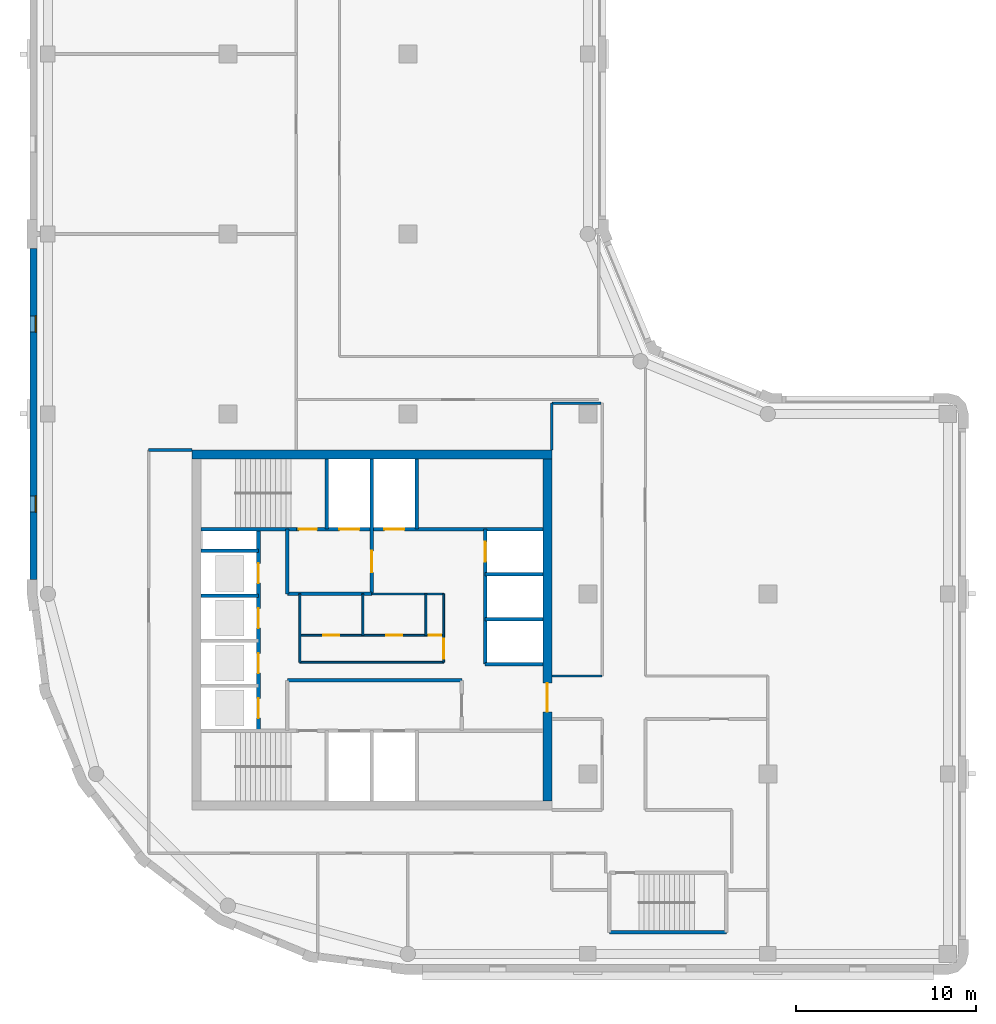
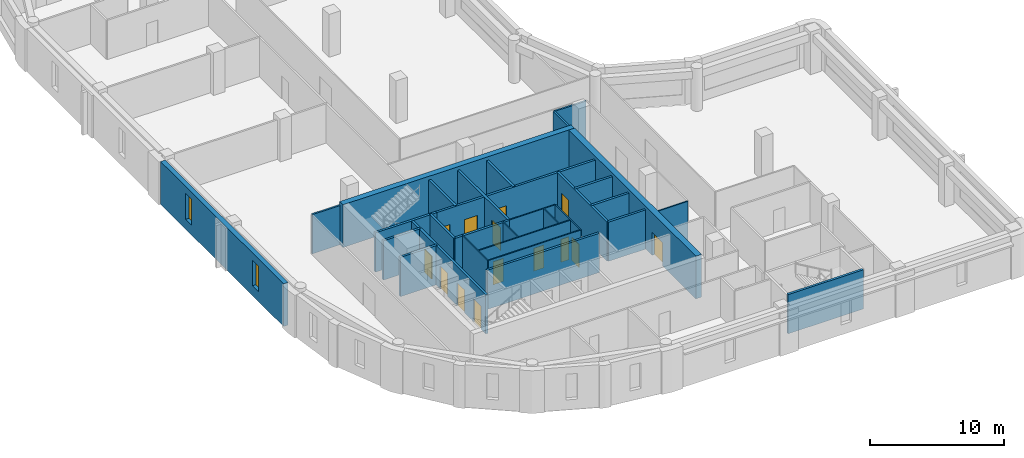
# One storey, part 3 of 9: 30 walls, 14 doors, 2 windows, 16 openings.
"""IFC4 building model written with IfcOpenShell, lengths in metres."""

from ifc_helpers import new_model, si_unit, direction, frame, frame_2d, origin, place, context, subcontext, project, spatial, rectangle, extrude, material, layer, layer_set, type_object, element, fill, save


model = new_model("IFC4")

# Units and contexts
model_context = context("Model", 3, precision=1e-05, world=origin(), true_north=direction((0.0, 1.0)))
body_context = subcontext(model_context, "Body", "Model", "MODEL_VIEW")
ifc_project = project(units=[si_unit("LENGTHUNIT", "METRE"), si_unit("AREAUNIT", "SQUARE_METRE"), si_unit("VOLUMEUNIT", "CUBIC_METRE"), si_unit("PLANEANGLEUNIT", "RADIAN"), si_unit("MASSUNIT", "GRAM", prefix="KILO")], contexts=[model_context])

# Site, building, storey
site_placement = place(None, origin())
site = spatial("IfcSite", under=ifc_project, at=site_placement, CompositionType="ELEMENT")
building_placement = place(site_placement, origin())
building = spatial("IfcBuilding", under=site, at=building_placement, Name="Qaws Garden Tower", CompositionType="ELEMENT")
storey_placement = place(building_placement, frame((0.0, 0.0, 255.300048828125)))
storey = spatial("IfcBuildingStorey", under=building, at=storey_placement, Name="L61", CompositionType="ELEMENT", Elevation=255.300048828125)

# Wall, openings, windows
ifc_material_1 = material(Name="Clay facing brick masonry", Category="masonry")
ifc_layer_1 = layer(ifc_material_1, 0.39990234375)
ifc_layer_set_1 = layer_set([ifc_layer_1], Name="Clay facing brick masonry")
wall_type_1 = type_object("IfcWallType", Name="Brick infill wall 400", PredefinedType="SOLIDWALL", material=ifc_layer_set_1)
wall_1_placement = place(storey_placement, frame((-0.800048828125, 39.199951171875, 0.0), z_axis=(0.0, 0.0, 1.0), x_axis=(0.0, -1.0, 0.0)))
wall_1 = element("IfcWall", 1, at=wall_1_placement, inside=storey, type_object=wall_type_1, Name="E-L61-infill-21", PredefinedType="SOLIDWALL", context=body_context, shape_type="SweptSolid", body=[
    extrude(rectangle(XDim=18.39990234375, YDim=0.39990234375, at=frame_2d((9.199951171875, 0.0))), origin(), (0.0, 0.0, 1.0), 3.89990234375),
])
opening_1_placement = place(wall_1_placement, frame((3.75, 0.0, 0.89990234375)))
opening_1 = element("IfcOpeningElement", 2, at=opening_1_placement, cuts=wall_1, Name="Opening W09", PredefinedType="OPENING", context=body_context, shape_type="SweptSolid", body=[
    extrude(rectangle(XDim=0.89990234375, YDim=2.35009765625, at=frame_2d((0.449951171875, 1.175048828125))), frame((0.0, 0.2099609375, 0.0), z_axis=(0.0, -1.0, 0.0), x_axis=(1.0, 0.0, 0.0)), (0.0, 0.0, 1.0), 0.419921875),
])
opening_2_placement = place(wall_1_placement, frame((13.75, 0.0, 0.89990234375)))
opening_2 = element("IfcOpeningElement", 3, at=opening_2_placement, cuts=wall_1, Name="Opening W09", PredefinedType="OPENING", context=body_context, shape_type="SweptSolid", body=[
    extrude(rectangle(XDim=0.89990234375, YDim=2.35009765625, at=frame_2d((0.449951171875, 1.175048828125))), frame((0.0, 0.2099609375, 0.0), z_axis=(0.0, -1.0, 0.0), x_axis=(1.0, 0.0, 0.0)), (0.0, 0.0, 1.0), 0.419921875),
])
ifc_material_2 = material(Name="Aluminium framed window, clear glazing", Category="aluminium")
window_type = type_object("IfcWindowType", Name="Slit window 900 x 2350", PartitioningType="SINGLE_PANEL", PredefinedType="WINDOW", material=ifc_material_2)
window_1_placement = place(opening_1_placement, origin())
window_1 = element("IfcWindow", 4, at=window_1_placement, inside=storey, type_object=window_type, Name="E-L61-window-21-0", OverallHeight=2.35009765625, OverallWidth=0.89990234375, PartitioningType="SINGLE_PANEL", PredefinedType="WINDOW", context=body_context, shape_type="SweptSolid", body=[
    extrude(rectangle(XDim=0.89990234375, YDim=2.35009765625, at=frame_2d((0.449951171875, 1.175048828125))), frame((0.0, 0.159912109375, 0.0), z_axis=(0.0, -1.0, 0.0), x_axis=(1.0, 0.0, 0.0)), (0.0, 0.0, 1.0), 0.06005859375),
])
fill(opening_1, window_1)
window_2_placement = place(opening_2_placement, origin())
window_2 = element("IfcWindow", 5, at=window_2_placement, inside=storey, type_object=window_type, Name="E-L61-window-22-0", OverallHeight=2.35009765625, OverallWidth=0.89990234375, PartitioningType="SINGLE_PANEL", PredefinedType="WINDOW", context=body_context, shape_type="SweptSolid", body=[
    extrude(rectangle(XDim=0.89990234375, YDim=2.35009765625, at=frame_2d((0.449951171875, 1.175048828125))), frame((0.0, 0.159912109375, 0.0), z_axis=(0.0, -1.0, 0.0), x_axis=(1.0, 0.0, 0.0)), (0.0, 0.0, 1.0), 0.06005859375),
])
fill(opening_2, window_2)

# Wall
ifc_material_3 = material(Name="Plasterboard")
ifc_layer_2 = layer(ifc_material_3, 0.10009765625)
ifc_layer_set_2 = layer_set([ifc_layer_2], Name="Plasterboard")
wall_type_2 = type_object("IfcWallType", Name="Core partition 100", PredefinedType="PARTITIONING", material=ifc_layer_set_2)
wall_2_placement = place(storey_placement, frame((14.0, 16.199951171875, 0.0), z_axis=(0.0, 0.0, 1.0), x_axis=(1.0, 0.0, 0.0)))
element("IfcWall", 6, at=wall_2_placement, inside=storey, type_object=wall_type_2, Name="Core partition", PredefinedType="PARTITIONING", context=body_context, shape_type="SweptSolid", body=[
    extrude(rectangle(XDim=8.0, YDim=0.10009765625, at=frame_2d((4.0, 0.0))), origin(), (0.0, 0.0, 1.0), 3.579833984375),
])

# Wall, openings, doors
wall_3_placement = place(storey_placement, frame((14.0, 17.699951171875, 0.0), z_axis=(0.0, 0.0, 1.0), x_axis=(1.0, 0.0, 0.0)))
wall_3 = element("IfcWall", 7, at=wall_3_placement, inside=storey, type_object=wall_type_2, Name="Core partition", PredefinedType="PARTITIONING", context=body_context, shape_type="SweptSolid", body=[
    extrude(rectangle(XDim=8.0, YDim=0.10009765625, at=frame_2d((4.0, 0.0))), origin(), (0.0, 0.0, 1.0), 3.579833984375),
])
opening_3_placement = place(wall_3_placement, frame((1.300048828125, 0.0, 0.0)))
opening_3 = element("IfcOpeningElement", 8, at=opening_3_placement, cuts=wall_3, Name="Opening WD18", PredefinedType="OPENING", context=body_context, shape_type="SweptSolid", body=[
    extrude(rectangle(XDim=0.89990234375, YDim=2.10009765625, at=frame_2d((0.449951171875, 1.050048828125))), frame((0.0, 0.06005859375, 0.0), z_axis=(0.0, -1.0, 0.0), x_axis=(1.0, 0.0, 0.0)), (0.0, 0.0, 1.0), 0.1201171875),
])
opening_4_placement = place(wall_3_placement, frame((4.800048828125, 0.0, 0.0)))
opening_4 = element("IfcOpeningElement", 9, at=opening_4_placement, cuts=wall_3, Name="Opening WD19", PredefinedType="OPENING", context=body_context, shape_type="SweptSolid", body=[
    extrude(rectangle(XDim=0.89990234375, YDim=2.10009765625, at=frame_2d((0.449951171875, 1.050048828125))), frame((0.0, 0.06005859375, 0.0), z_axis=(0.0, -1.0, 0.0), x_axis=(1.0, 0.0, 0.0)), (0.0, 0.0, 1.0), 0.1201171875),
])
opening_5_placement = place(wall_3_placement, frame((7.14990234375, 0.0, 0.0)))
opening_5 = element("IfcOpeningElement", 10, at=opening_5_placement, cuts=wall_3, Name="Opening XD20", PredefinedType="OPENING", context=body_context, shape_type="SweptSolid", body=[
    extrude(rectangle(XDim=0.699951171875, YDim=2.10009765625, at=frame_2d((0.35009765625, 1.050048828125))), frame((0.0, 0.06005859375, 0.0), z_axis=(0.0, -1.0, 0.0), x_axis=(1.0, 0.0, 0.0)), (0.0, 0.0, 1.0), 0.1201171875),
])
ifc_material_4 = material(Name="Timber", Category="wood")
door_type_1 = type_object("IfcDoorType", Name="Store door 700x2100", OperationType="SINGLE_SWING_LEFT", PredefinedType="DOOR", material=ifc_material_4)
door_1_placement = place(opening_5_placement, origin())
door_1 = element("IfcDoor", 11, at=door_1_placement, inside=storey, type_object=door_type_1, Name="Cleaner's store door", OperationType="SINGLE_SWING_RIGHT", OverallHeight=2.10009765625, OverallWidth=0.699951171875, PredefinedType="DOOR", context=body_context, shape_type="SweptSolid", body=[
    extrude(rectangle(XDim=0.699951171875, YDim=2.10009765625, at=frame_2d((0.35009765625, 1.050048828125))), frame((0.0, 0.02490234375, 0.0), z_axis=(0.0, -1.0, 0.0), x_axis=(1.0, 0.0, 0.0)), (0.0, 0.0, 1.0), 0.050048828125),
])
fill(opening_5, door_1)
ifc_material_5 = material(Name="Timber", Category="wood")
door_type_2 = type_object("IfcDoorType", Name="WC door 900x2100", OperationType="SINGLE_SWING_LEFT", PredefinedType="DOOR", material=ifc_material_5)
door_2_placement = place(opening_3_placement, origin())
door_2 = element("IfcDoor", 12, at=door_2_placement, inside=storey, type_object=door_type_2, Name="Men's WC door", OperationType="SINGLE_SWING_RIGHT", OverallHeight=2.10009765625, OverallWidth=0.89990234375, PredefinedType="DOOR", context=body_context, shape_type="SweptSolid", body=[
    extrude(rectangle(XDim=0.89990234375, YDim=2.10009765625, at=frame_2d((0.449951171875, 1.050048828125))), frame((0.0, 0.02490234375, 0.0), z_axis=(0.0, -1.0, 0.0), x_axis=(1.0, 0.0, 0.0)), (0.0, 0.0, 1.0), 0.050048828125),
])
fill(opening_3, door_2)
door_3_placement = place(opening_4_placement, origin())
door_3 = element("IfcDoor", 13, at=door_3_placement, inside=storey, type_object=door_type_2, Name="Women's WC door", OperationType="SINGLE_SWING_RIGHT", OverallHeight=2.10009765625, OverallWidth=0.89990234375, PredefinedType="DOOR", context=body_context, shape_type="SweptSolid", body=[
    extrude(rectangle(XDim=0.89990234375, YDim=2.10009765625, at=frame_2d((0.449951171875, 1.050048828125))), frame((0.0, 0.02490234375, 0.0), z_axis=(0.0, -1.0, 0.0), x_axis=(1.0, 0.0, 0.0)), (0.0, 0.0, 1.0), 0.050048828125),
])
fill(opening_4, door_3)

# Walls
wall_4_placement = place(storey_placement, frame((18.0, 20.0, 0.0), z_axis=(0.0, 0.0, 1.0), x_axis=(1.0, 0.0, 0.0)))
element("IfcWall", 14, at=wall_4_placement, inside=storey, type_object=wall_type_2, Name="Core partition", PredefinedType="PARTITIONING", context=body_context, shape_type="SweptSolid", body=[
    extrude(rectangle(XDim=4.0, YDim=0.10009765625, at=frame_2d((2.0, 0.0))), origin(), (0.0, 0.0, 1.0), 3.579833984375),
])
wall_5_placement = place(storey_placement, frame((14.0, 16.199951171875, 0.0), z_axis=(0.0, 0.0, 1.0), x_axis=(0.0, 1.0, 0.0)))
element("IfcWall", 15, at=wall_5_placement, inside=storey, type_object=wall_type_2, Name="Core partition", PredefinedType="PARTITIONING", context=body_context, shape_type="SweptSolid", body=[
    extrude(rectangle(XDim=3.800048828125, YDim=0.10009765625, at=frame_2d((1.89990234375, 0.0))), origin(), (0.0, 0.0, 1.0), 3.579833984375),
])
for number, where, z_axis, x_axis, name in (
    (16, (17.5, 17.699951171875, 0.0), (0.0, 0.0, 1.0), (0.0, 1.0, 0.0), "Core partition"),
    (17, (21.0, 17.699951171875, 0.0), (0.0, 0.0, 1.0), (0.0, 1.0, 0.0), "Core partition"),
):
    element("IfcWall", number, at=place(storey_placement, frame(where, z_axis=z_axis, x_axis=x_axis)), inside=storey, type_object=wall_type_2, Name=name, PredefinedType="PARTITIONING", context=body_context, shape_type="SweptSolid", body=[
        extrude(rectangle(XDim=2.300048828125, YDim=0.10009765625, at=frame_2d((1.14990234375, 0.0))), origin(), (0.0, 0.0, 1.0), 3.579833984375),
    ])

# Wall, opening, door
wall_6_placement = place(storey_placement, frame((22.0, 16.199951171875, 0.0), z_axis=(0.0, 0.0, 1.0), x_axis=(0.0, 1.0, 0.0)))
wall_6 = element("IfcWall", 18, at=wall_6_placement, inside=storey, type_object=wall_type_2, Name="Core partition", PredefinedType="PARTITIONING", context=body_context, shape_type="SweptSolid", body=[
    extrude(rectangle(XDim=3.800048828125, YDim=0.10009765625, at=frame_2d((1.89990234375, 0.0))), origin(), (0.0, 0.0, 1.0), 3.579833984375),
])
opening_6_placement = place(wall_6_placement, frame((0.199951171875, 0.0, 0.0)))
opening_6 = element("IfcOpeningElement", 19, at=opening_6_placement, cuts=wall_6, Name="Opening WL17", PredefinedType="OPENING", context=body_context, shape_type="SweptSolid", body=[
    extrude(rectangle(XDim=1.10009765625, YDim=2.10009765625, at=frame_2d((0.550048828125, 1.050048828125))), frame((0.0, 0.06005859375, 0.0), z_axis=(0.0, -1.0, 0.0), x_axis=(1.0, 0.0, 0.0)), (0.0, 0.0, 1.0), 0.1201171875),
])
ifc_material_6 = material(Name="Timber", Category="wood")
door_type_3 = type_object("IfcDoorType", Name="WC lobby door 1100x2100", OperationType="SINGLE_SWING_LEFT", PredefinedType="DOOR", material=ifc_material_6)
door_4_placement = place(opening_6_placement, origin())
door_4 = element("IfcDoor", 20, at=door_4_placement, inside=storey, type_object=door_type_3, Name="WC lobby door", OperationType="SINGLE_SWING_RIGHT", OverallHeight=2.10009765625, OverallWidth=1.10009765625, PredefinedType="DOOR", context=body_context, shape_type="SweptSolid", body=[
    extrude(rectangle(XDim=1.10009765625, YDim=2.10009765625, at=frame_2d((0.550048828125, 1.050048828125))), frame((0.0, 0.02490234375, 0.0), z_axis=(0.0, -1.0, 0.0), x_axis=(1.0, 0.0, 0.0)), (0.0, 0.0, 1.0), 0.050048828125),
])
fill(opening_6, door_4)

# Walls
ifc_material_7 = material(Name="Concrete C60", Category="concrete")
ifc_layer_3 = layer(ifc_material_7, 0.199951171875)
ifc_layer_set_3 = layer_set([ifc_layer_3], Name="Concrete C60")
wall_type_3 = type_object("IfcWallType", Name="Core shaft wall 200 C60", PredefinedType="SHEAR", material=ifc_layer_set_3)
wall_7_placement = place(storey_placement, frame((31.199951171875, 1.199951171875, 0.0), z_axis=(0.0, 0.0, 1.0), x_axis=(1.0, 0.0, 0.0)))
element("IfcWall", 21, at=wall_7_placement, inside=storey, type_object=wall_type_3, Name="Shaft wall", PredefinedType="SHEAR", context=body_context, shape_type="SweptSolid", body=[
    extrude(rectangle(XDim=6.5, YDim=0.199951171875, at=frame_2d((3.25, 0.0))), origin(), (0.0, 0.0, 1.0), 3.579833984375),
])
wall_8_placement = place(storey_placement, frame((13.300048828125, 15.199951171875, 0.0), z_axis=(0.0, 0.0, 1.0), x_axis=(1.0, 0.0, 0.0)))
element("IfcWall", 22, at=wall_8_placement, inside=storey, type_object=wall_type_3, Name="Shaft wall", PredefinedType="SHEAR", context=body_context, shape_type="SweptSolid", body=[
    extrude(rectangle(XDim=9.699951171875, YDim=0.199951171875, at=frame_2d((4.85009765625, 0.0))), origin(), (0.0, 0.0, 1.0), 3.579833984375),
])
for number, where, z_axis, x_axis, name in (
    (23, (24.300048828125, 16.10009765625, 0.0), (0.0, 0.0, 1.0), (1.0, 0.0, 0.0), "Shaft wall"),
    (24, (24.300048828125, 18.60009765625, 0.0), (0.0, 0.0, 1.0), (1.0, 0.0, 0.0), "Shaft wall"),
    (25, (8.5, 19.89990234375, 0.0), (0.0, 0.0, 1.0), (1.0, 0.0, 0.0), "Shaft wall"),
):
    element("IfcWall", number, at=place(storey_placement, frame(where, z_axis=z_axis, x_axis=x_axis)), inside=storey, type_object=wall_type_3, Name=name, PredefinedType="SHEAR", context=body_context, shape_type="SweptSolid", body=[
        extrude(rectangle(XDim=3.199951171875, YDim=0.199951171875, at=frame_2d((1.60009765625, 0.0))), origin(), (0.0, 0.0, 1.0), 3.579833984375),
    ])
wall_9_placement = place(storey_placement, frame((13.300048828125, 20.0, 0.0), z_axis=(0.0, 0.0, 1.0), x_axis=(1.0, 0.0, 0.0)))
element("IfcWall", 26, at=wall_9_placement, inside=storey, type_object=wall_type_3, Name="Shaft wall", PredefinedType="SHEAR", context=body_context, shape_type="SweptSolid", body=[
    extrude(rectangle(XDim=4.699951171875, YDim=0.199951171875, at=frame_2d((2.35009765625, 0.0))), origin(), (0.0, 0.0, 1.0), 3.579833984375),
])
for number, where, z_axis, x_axis, name in (
    (27, (24.300048828125, 21.10009765625, 0.0), (0.0, 0.0, 1.0), (1.0, 0.0, 0.0), "Shaft wall"),
    (28, (8.5, 22.39990234375, 0.0), (0.0, 0.0, 1.0), (1.0, 0.0, 0.0), "Shaft wall"),
):
    element("IfcWall", number, at=place(storey_placement, frame(where, z_axis=z_axis, x_axis=x_axis)), inside=storey, type_object=wall_type_3, Name=name, PredefinedType="SHEAR", context=body_context, shape_type="SweptSolid", body=[
        extrude(rectangle(XDim=3.199951171875, YDim=0.199951171875, at=frame_2d((1.60009765625, 0.0))), origin(), (0.0, 0.0, 1.0), 3.579833984375),
    ])
wall_10_placement = place(storey_placement, frame((8.5, 23.60009765625, 0.0), z_axis=(0.0, 0.0, 1.0), x_axis=(1.0, 0.0, 0.0)))
element("IfcWall", 29, at=wall_10_placement, inside=storey, type_object=wall_type_3, Name="Shaft wall", PredefinedType="SHEAR", context=body_context, shape_type="SweptSolid", body=[
    extrude(rectangle(XDim=5.300048828125, YDim=0.199951171875, at=frame_2d((2.64990234375, 0.0))), origin(), (0.0, 0.0, 1.0), 3.579833984375),
])

# Wall, openings, doors
wall_11_placement = place(storey_placement, frame((13.800048828125, 23.60009765625, 0.0), z_axis=(0.0, 0.0, 1.0), x_axis=(1.0, 0.0, 0.0)))
wall_11 = element("IfcWall", 30, at=wall_11_placement, inside=storey, type_object=wall_type_3, Name="Shaft wall", PredefinedType="SHEAR", context=body_context, shape_type="SweptSolid", body=[
    extrude(rectangle(XDim=13.699951171875, YDim=0.199951171875, at=frame_2d((6.85009765625, 0.0))), origin(), (0.0, 0.0, 1.0), 3.579833984375),
])
opening_7_placement = place(wall_11_placement, frame((2.39990234375, 0.0, 0.0)))
opening_7 = element("IfcOpeningElement", 31, at=opening_7_placement, cuts=wall_11, Name="Opening LD08", PredefinedType="OPENING", context=body_context, shape_type="SweptSolid", body=[
    extrude(rectangle(XDim=1.10009765625, YDim=2.10009765625, at=frame_2d((0.550048828125, 1.050048828125))), frame((0.0, 0.10986328125, 0.0), z_axis=(0.0, -1.0, 0.0), x_axis=(1.0, 0.0, 0.0)), (0.0, 0.0, 1.0), 0.219970703125),
])
opening_8_placement = place(wall_11_placement, frame((4.89990234375, 0.0, 0.0)))
opening_8 = element("IfcOpeningElement", 32, at=opening_8_placement, cuts=wall_11, Name="Opening LD09", PredefinedType="OPENING", context=body_context, shape_type="SweptSolid", body=[
    extrude(rectangle(XDim=1.10009765625, YDim=2.10009765625, at=frame_2d((0.550048828125, 1.050048828125))), frame((0.0, 0.10986328125, 0.0), z_axis=(0.0, -1.0, 0.0), x_axis=(1.0, 0.0, 0.0)), (0.0, 0.0, 1.0), 0.219970703125),
])
opening_9_placement = place(wall_11_placement, frame((0.14990234375, 0.0, 0.0)))
opening_9 = element("IfcOpeningElement", 33, at=opening_9_placement, cuts=wall_11, Name="Opening SD11", PredefinedType="OPENING", context=body_context, shape_type="SweptSolid", body=[
    extrude(rectangle(XDim=1.0, YDim=2.10009765625, at=frame_2d((0.5, 1.050048828125))), frame((0.0, 0.10986328125, 0.0), z_axis=(0.0, -1.0, 0.0), x_axis=(1.0, 0.0, 0.0)), (0.0, 0.0, 1.0), 0.219970703125),
])
ifc_material_8 = material(Name="Steel S235", Category="steel")
door_type_4 = type_object("IfcDoorType", Name="Landing door 1100x2100", OperationType="DOUBLE_DOOR_SLIDING", PredefinedType="DOOR", material=ifc_material_8)
door_5_placement = place(opening_7_placement, origin())
door_5 = element("IfcDoor", 34, at=door_5_placement, inside=storey, type_object=door_type_4, Name="Lift FF3 landing door", OperationType="DOUBLE_DOOR_SLIDING", OverallHeight=2.10009765625, OverallWidth=1.10009765625, PredefinedType="DOOR", context=body_context, shape_type="SweptSolid", body=[
    extrude(rectangle(XDim=1.10009765625, YDim=2.10009765625, at=frame_2d((0.550048828125, 1.050048828125))), frame((0.0, 0.02490234375, 0.0), z_axis=(0.0, -1.0, 0.0), x_axis=(1.0, 0.0, 0.0)), (0.0, 0.0, 1.0), 0.050048828125),
])
fill(opening_7, door_5)
door_6_placement = place(opening_8_placement, origin())
door_6 = element("IfcDoor", 35, at=door_6_placement, inside=storey, type_object=door_type_4, Name="Lift SV2 landing door", OperationType="DOUBLE_DOOR_SLIDING", OverallHeight=2.10009765625, OverallWidth=1.10009765625, PredefinedType="DOOR", context=body_context, shape_type="SweptSolid", body=[
    extrude(rectangle(XDim=1.10009765625, YDim=2.10009765625, at=frame_2d((0.550048828125, 1.050048828125))), frame((0.0, 0.02490234375, 0.0), z_axis=(0.0, -1.0, 0.0), x_axis=(1.0, 0.0, 0.0)), (0.0, 0.0, 1.0), 0.050048828125),
])
fill(opening_8, door_6)
ifc_material_9 = material(Name="Steel S235", Category="steel")
door_type_5 = type_object("IfcDoorType", Name="Stair door 1000x2100", OperationType="SINGLE_SWING_RIGHT", PredefinedType="DOOR", material=ifc_material_9)
door_7_placement = place(opening_9_placement, origin())
door_7 = element("IfcDoor", 36, at=door_7_placement, inside=storey, type_object=door_type_5, Name="Stair 4 door", OperationType="SINGLE_SWING_RIGHT", OverallHeight=2.10009765625, OverallWidth=1.0, PredefinedType="DOOR", context=body_context, shape_type="SweptSolid", body=[
    extrude(rectangle(XDim=1.0, YDim=2.10009765625, at=frame_2d((0.5, 1.050048828125))), frame((0.0, 0.02490234375, 0.0), z_axis=(0.0, -1.0, 0.0), x_axis=(1.0, 0.0, 0.0)), (0.0, 0.0, 1.0), 0.050048828125),
])
fill(opening_9, door_7)

wall_12_placement = place(storey_placement, frame((11.699951171875, 12.39990234375, 0.0), z_axis=(0.0, 0.0, 1.0), x_axis=(0.0, 1.0, 0.0)))
wall_12 = element("IfcWall", 37, at=wall_12_placement, inside=storey, type_object=wall_type_3, Name="Shaft wall", PredefinedType="SHEAR", context=body_context, shape_type="SweptSolid", body=[
    extrude(rectangle(XDim=11.2001953125, YDim=0.199951171875, at=frame_2d((5.60009765625, 0.0))), origin(), (0.0, 0.0, 1.0), 3.579833984375),
])
opening_10_placement = place(wall_12_placement, frame((0.699951171875, 0.0, 0.0)))
opening_10 = element("IfcOpeningElement", 38, at=opening_10_placement, cuts=wall_12, Name="Opening LD01", PredefinedType="OPENING", context=body_context, shape_type="SweptSolid", body=[
    extrude(rectangle(XDim=1.10009765625, YDim=2.10009765625, at=frame_2d((0.550048828125, 1.050048828125))), frame((0.0, 0.10986328125, 0.0), z_axis=(0.0, -1.0, 0.0), x_axis=(1.0, 0.0, 0.0)), (0.0, 0.0, 1.0), 0.219970703125),
])
opening_11_placement = place(wall_12_placement, frame((3.199951171875, 0.0, 0.0)))
opening_11 = element("IfcOpeningElement", 39, at=opening_11_placement, cuts=wall_12, Name="Opening LD02", PredefinedType="OPENING", context=body_context, shape_type="SweptSolid", body=[
    extrude(rectangle(XDim=1.10009765625, YDim=2.10009765625, at=frame_2d((0.550048828125, 1.050048828125))), frame((0.0, 0.10986328125, 0.0), z_axis=(0.0, -1.0, 0.0), x_axis=(1.0, 0.0, 0.0)), (0.0, 0.0, 1.0), 0.219970703125),
])
opening_12_placement = place(wall_12_placement, frame((5.699951171875, 0.0, 0.0)))
opening_12 = element("IfcOpeningElement", 40, at=opening_12_placement, cuts=wall_12, Name="Opening LD03", PredefinedType="OPENING", context=body_context, shape_type="SweptSolid", body=[
    extrude(rectangle(XDim=1.10009765625, YDim=2.10009765625, at=frame_2d((0.550048828125, 1.050048828125))), frame((0.0, 0.10986328125, 0.0), z_axis=(0.0, -1.0, 0.0), x_axis=(1.0, 0.0, 0.0)), (0.0, 0.0, 1.0), 0.219970703125),
])
opening_13_placement = place(wall_12_placement, frame((8.199951171875, 0.0, 0.0)))
opening_13 = element("IfcOpeningElement", 41, at=opening_13_placement, cuts=wall_12, Name="Opening LD04", PredefinedType="OPENING", context=body_context, shape_type="SweptSolid", body=[
    extrude(rectangle(XDim=1.10009765625, YDim=2.10009765625, at=frame_2d((0.550048828125, 1.050048828125))), frame((0.0, 0.10986328125, 0.0), z_axis=(0.0, -1.0, 0.0), x_axis=(1.0, 0.0, 0.0)), (0.0, 0.0, 1.0), 0.219970703125),
])
door_8_placement = place(opening_10_placement, origin())
door_8 = element("IfcDoor", 42, at=door_8_placement, inside=storey, type_object=door_type_4, Name="Lift W1 landing door", OperationType="DOUBLE_DOOR_SLIDING", OverallHeight=2.10009765625, OverallWidth=1.10009765625, PredefinedType="DOOR", context=body_context, shape_type="SweptSolid", body=[
    extrude(rectangle(XDim=1.10009765625, YDim=2.10009765625, at=frame_2d((0.550048828125, 1.050048828125))), frame((0.0, 0.02490234375, 0.0), z_axis=(0.0, -1.0, 0.0), x_axis=(1.0, 0.0, 0.0)), (0.0, 0.0, 1.0), 0.050048828125),
])
fill(opening_10, door_8)
door_9_placement = place(opening_11_placement, origin())
door_9 = element("IfcDoor", 43, at=door_9_placement, inside=storey, type_object=door_type_4, Name="Lift W2 landing door", OperationType="DOUBLE_DOOR_SLIDING", OverallHeight=2.10009765625, OverallWidth=1.10009765625, PredefinedType="DOOR", context=body_context, shape_type="SweptSolid", body=[
    extrude(rectangle(XDim=1.10009765625, YDim=2.10009765625, at=frame_2d((0.550048828125, 1.050048828125))), frame((0.0, 0.02490234375, 0.0), z_axis=(0.0, -1.0, 0.0), x_axis=(1.0, 0.0, 0.0)), (0.0, 0.0, 1.0), 0.050048828125),
])
fill(opening_11, door_9)
door_10_placement = place(opening_12_placement, origin())
door_10 = element("IfcDoor", 44, at=door_10_placement, inside=storey, type_object=door_type_4, Name="Lift W3 landing door", OperationType="DOUBLE_DOOR_SLIDING", OverallHeight=2.10009765625, OverallWidth=1.10009765625, PredefinedType="DOOR", context=body_context, shape_type="SweptSolid", body=[
    extrude(rectangle(XDim=1.10009765625, YDim=2.10009765625, at=frame_2d((0.550048828125, 1.050048828125))), frame((0.0, 0.02490234375, 0.0), z_axis=(0.0, -1.0, 0.0), x_axis=(1.0, 0.0, 0.0)), (0.0, 0.0, 1.0), 0.050048828125),
])
fill(opening_12, door_10)
door_11_placement = place(opening_13_placement, origin())
door_11 = element("IfcDoor", 45, at=door_11_placement, inside=storey, type_object=door_type_4, Name="Lift W4 landing door", OperationType="DOUBLE_DOOR_SLIDING", OverallHeight=2.10009765625, OverallWidth=1.10009765625, PredefinedType="DOOR", context=body_context, shape_type="SweptSolid", body=[
    extrude(rectangle(XDim=1.10009765625, YDim=2.10009765625, at=frame_2d((0.550048828125, 1.050048828125))), frame((0.0, 0.02490234375, 0.0), z_axis=(0.0, -1.0, 0.0), x_axis=(1.0, 0.0, 0.0)), (0.0, 0.0, 1.0), 0.050048828125),
])
fill(opening_13, door_11)

# Walls
wall_13_placement = place(storey_placement, frame((13.300048828125, 20.0, 0.0), z_axis=(0.0, 0.0, 1.0), x_axis=(0.0, 1.0, 0.0)))
element("IfcWall", 46, at=wall_13_placement, inside=storey, type_object=wall_type_3, Name="Shaft wall", PredefinedType="SHEAR", context=body_context, shape_type="SweptSolid", body=[
    extrude(rectangle(XDim=3.60009765625, YDim=0.199951171875, at=frame_2d((1.800048828125, 0.0))), origin(), (0.0, 0.0, 1.0), 3.579833984375),
])
wall_14_placement = place(storey_placement, frame((15.5, 23.60009765625, 0.0), z_axis=(0.0, 0.0, 1.0), x_axis=(0.0, 1.0, 0.0)))
element("IfcWall", 47, at=wall_14_placement, inside=storey, type_object=wall_type_3, Name="Shaft wall", PredefinedType="SHEAR", context=body_context, shape_type="SweptSolid", body=[
    extrude(rectangle(XDim=3.89990234375, YDim=0.199951171875, at=frame_2d((1.949951171875, 0.0))), origin(), (0.0, 0.0, 1.0), 3.579833984375),
])

# Wall, opening, door
wall_15_placement = place(storey_placement, frame((18.0, 20.0, 0.0), z_axis=(0.0, 0.0, 1.0), x_axis=(0.0, 1.0, 0.0)))
wall_15 = element("IfcWall", 48, at=wall_15_placement, inside=storey, type_object=wall_type_3, Name="Shaft wall", PredefinedType="SHEAR", context=body_context, shape_type="SweptSolid", body=[
    extrude(rectangle(XDim=7.5, YDim=0.199951171875, at=frame_2d((3.75, 0.0))), origin(), (0.0, 0.0, 1.0), 3.579833984375),
])
opening_14_placement = place(wall_15_placement, frame((1.199951171875, 0.0, 0.0)))
opening_14 = element("IfcOpeningElement", 49, at=opening_14_placement, cuts=wall_15, Name="Opening FD16", PredefinedType="OPENING", context=body_context, shape_type="SweptSolid", body=[
    extrude(rectangle(XDim=1.199951171875, YDim=2.10009765625, at=frame_2d((0.60009765625, 1.050048828125))), frame((0.0, 0.10986328125, 0.0), z_axis=(0.0, -1.0, 0.0), x_axis=(1.0, 0.0, 0.0)), (0.0, 0.0, 1.0), 0.219970703125),
])
ifc_material_10 = material(Name="Steel S235", Category="steel")
door_type_6 = type_object("IfcDoorType", Name="Lobby door 1200x2100", OperationType="DOUBLE_DOOR_SINGLE_SWING", PredefinedType="DOOR", material=ifc_material_10)
door_12_placement = place(opening_14_placement, origin())
door_12 = element("IfcDoor", 50, at=door_12_placement, inside=storey, type_object=door_type_6, Name="Fire-fighting lobby door", OperationType="DOUBLE_DOOR_SINGLE_SWING", OverallHeight=2.10009765625, OverallWidth=1.199951171875, PredefinedType="DOOR", context=body_context, shape_type="SweptSolid", body=[
    extrude(rectangle(XDim=1.199951171875, YDim=2.10009765625, at=frame_2d((0.60009765625, 1.050048828125))), frame((0.0, 0.02490234375, 0.0), z_axis=(0.0, -1.0, 0.0), x_axis=(1.0, 0.0, 0.0)), (0.0, 0.0, 1.0), 0.050048828125),
])
fill(opening_14, door_12)

# Wall
wall_16_placement = place(storey_placement, frame((20.5, 23.60009765625, 0.0), z_axis=(0.0, 0.0, 1.0), x_axis=(0.0, 1.0, 0.0)))
element("IfcWall", 51, at=wall_16_placement, inside=storey, type_object=wall_type_3, Name="Shaft wall", PredefinedType="SHEAR", context=body_context, shape_type="SweptSolid", body=[
    extrude(rectangle(XDim=3.89990234375, YDim=0.199951171875, at=frame_2d((1.949951171875, 0.0))), origin(), (0.0, 0.0, 1.0), 3.579833984375),
])

# Wall, opening, door
wall_17_placement = place(storey_placement, frame((24.300048828125, 16.10009765625, 0.0), z_axis=(0.0, 0.0, 1.0), x_axis=(0.0, 1.0, 0.0)))
wall_17 = element("IfcWall", 52, at=wall_17_placement, inside=storey, type_object=wall_type_3, Name="Shaft wall", PredefinedType="SHEAR", context=body_context, shape_type="SweptSolid", body=[
    extrude(rectangle(XDim=7.5, YDim=0.199951171875, at=frame_2d((3.75, 0.0))), origin(), (0.0, 0.0, 1.0), 3.579833984375),
])
opening_15_placement = place(wall_17_placement, frame((5.699951171875, 0.0, 0.0)))
opening_15 = element("IfcOpeningElement", 53, at=opening_15_placement, cuts=wall_17, Name="Opening LD05", PredefinedType="OPENING", context=body_context, shape_type="SweptSolid", body=[
    extrude(rectangle(XDim=1.10009765625, YDim=2.10009765625, at=frame_2d((0.550048828125, 1.050048828125))), frame((0.0, 0.10986328125, 0.0), z_axis=(0.0, -1.0, 0.0), x_axis=(1.0, 0.0, 0.0)), (0.0, 0.0, 1.0), 0.219970703125),
])
door_13_placement = place(opening_15_placement, origin())
door_13 = element("IfcDoor", 54, at=door_13_placement, inside=storey, type_object=door_type_4, Name="Lift E3 landing door", OperationType="DOUBLE_DOOR_SLIDING", OverallHeight=2.10009765625, OverallWidth=1.10009765625, PredefinedType="DOOR", context=body_context, shape_type="SweptSolid", body=[
    extrude(rectangle(XDim=1.10009765625, YDim=2.10009765625, at=frame_2d((0.550048828125, 1.050048828125))), frame((0.0, 0.02490234375, 0.0), z_axis=(0.0, -1.0, 0.0), x_axis=(1.0, 0.0, 0.0)), (0.0, 0.0, 1.0), 0.050048828125),
])
fill(opening_15, door_13)

ifc_material_11 = material(Name="Concrete C60", Category="concrete")
ifc_layer_4 = layer(ifc_material_11, 0.5)
ifc_layer_set_4 = layer_set([ifc_layer_4], Name="Concrete C60")
wall_type_4 = type_object("IfcWallType", Name="Core wall 500 C60", PredefinedType="SHEAR", material=ifc_layer_set_4)
wall_18_placement = place(storey_placement, frame((27.75, 8.5, 0.0), z_axis=(0.0, 0.0, 1.0), x_axis=(0.0, 1.0, 0.0)))
wall_18 = element("IfcWall", 55, at=wall_18_placement, inside=storey, type_object=wall_type_4, Name="Core wall L61 east", PredefinedType="SHEAR", context=body_context, shape_type="SweptSolid", body=[
    extrude(rectangle(XDim=19.0, YDim=0.5, at=frame_2d((9.5, 0.0))), origin(), (0.0, 0.0, 1.0), 3.89990234375),
])
opening_16_placement = place(wall_18_placement, frame((4.949951171875, 0.0, 0.0)))
opening_16 = element("IfcOpeningElement", 56, at=opening_16_placement, cuts=wall_18, Name="Opening ED21", PredefinedType="OPENING", context=body_context, shape_type="SweptSolid", body=[
    extrude(rectangle(XDim=1.60009765625, YDim=2.10009765625, at=frame_2d((0.800048828125, 1.050048828125))), frame((0.0, 0.260009765625, 0.0), z_axis=(0.0, -1.0, 0.0), x_axis=(1.0, 0.0, 0.0)), (0.0, 0.0, 1.0), 0.52001953125),
])
ifc_material_12 = material(Name="Steel S235", Category="steel")
door_type_7 = type_object("IfcDoorType", Name="Core entrance door 1600x2100", OperationType="DOUBLE_DOOR_SINGLE_SWING", PredefinedType="DOOR", material=ifc_material_12)
door_14_placement = place(opening_16_placement, origin())
door_14 = element("IfcDoor", 57, at=door_14_placement, inside=storey, type_object=door_type_7, Name="Core entrance door", OperationType="DOUBLE_DOOR_SINGLE_SWING", OverallHeight=2.10009765625, OverallWidth=1.60009765625, PredefinedType="DOOR", context=body_context, shape_type="SweptSolid", body=[
    extrude(rectangle(XDim=1.60009765625, YDim=2.10009765625, at=frame_2d((0.800048828125, 1.050048828125))), frame((0.0, 0.02490234375, 0.0), z_axis=(0.0, -1.0, 0.0), x_axis=(1.0, 0.0, 0.0)), (0.0, 0.0, 1.0), 0.050048828125),
])
fill(opening_16, door_14)

# Walls
wall_19_placement = place(storey_placement, frame((28.0, 27.75, 0.0), z_axis=(0.0, 0.0, 1.0), x_axis=(-1.0, 0.0, 0.0)))
element("IfcWall", 58, at=wall_19_placement, inside=storey, type_object=wall_type_4, Name="Core wall L61 north", PredefinedType="SHEAR", context=body_context, shape_type="SweptSolid", body=[
    extrude(rectangle(XDim=20.0, YDim=0.5, at=frame_2d((10.0, 0.0))), origin(), (0.0, 0.0, 1.0), 3.89990234375),
])
ifc_material_13 = material(Name="Glass and aluminium framing", Category="aluminium")
ifc_layer_5 = layer(ifc_material_13, 0.1201171875)
ifc_layer_set_5 = layer_set([ifc_layer_5], Name="Glass and aluminium framing")
wall_type_5 = type_object("IfcWallType", Name="GLAZED PARTITION 120 EI 30", PredefinedType="PARTITIONING", material=ifc_layer_set_5)
wall_20_placement = place(storey_placement, frame((28.0, 15.449951171875, 0.0), z_axis=(0.0, 0.0, 1.0), x_axis=(1.0, 0.0, 0.0)))
element("IfcWall", 59, at=wall_20_placement, inside=storey, type_object=wall_type_5, Name="O-L61-wall-042", PredefinedType="PARTITIONING", context=body_context, shape_type="SweptSolid", body=[
    extrude(rectangle(XDim=2.800048828125, YDim=0.1201171875, at=frame_2d((1.39990234375, 0.0))), origin(), (0.0, 0.0, 1.0), 3.579833984375),
])
ifc_material_14 = material(Name="Gypsum board partition")
ifc_layer_6 = layer(ifc_material_14, 0.14990234375)
ifc_layer_set_6 = layer_set([ifc_layer_6], Name="Gypsum board partition")
wall_type_6 = type_object("IfcWallType", Name="PARTITION 150 EI 60", PredefinedType="PARTITIONING", material=ifc_layer_set_6)
wall_21_placement = place(storey_placement, frame((28.0, 28.0, 0.0), z_axis=(0.0, 0.0, 1.0), x_axis=(0.0, 1.0, 0.0)))
element("IfcWall", 60, at=wall_21_placement, inside=storey, type_object=wall_type_6, Name="O-L61-wall-011", PredefinedType="PARTITIONING", context=body_context, shape_type="SweptSolid", body=[
    extrude(rectangle(XDim=2.597900390625, YDim=0.14990234375, at=frame_2d((1.298828125, 0.0))), origin(), (0.0, 0.0, 1.0), 3.579833984375),
])
wall_22_placement = place(storey_placement, frame((5.60009765625, 28.0, 0.0), z_axis=(0.0, 0.0, 1.0), x_axis=(1.0, 0.0, 0.0)))
element("IfcWall", 61, at=wall_22_placement, inside=storey, type_object=wall_type_6, Name="O-L61-wall-026", PredefinedType="PARTITIONING", context=body_context, shape_type="SweptSolid", body=[
    extrude(rectangle(XDim=2.39990234375, YDim=0.14990234375, at=frame_2d((1.199951171875, 0.0))), origin(), (0.0, 0.0, 1.0), 3.579833984375),
])
wall_23_placement = place(storey_placement, frame((28.001953125, 30.60009765625, 0.0), z_axis=(0.0, 0.0, 1.0), x_axis=(1.0, 0.0, 0.0)))
element("IfcWall", 62, at=wall_23_placement, inside=storey, type_object=wall_type_6, Name="O-L61-wall-027", PredefinedType="PARTITIONING", context=body_context, shape_type="SweptSolid", body=[
    extrude(rectangle(XDim=2.738037109375, YDim=0.14990234375, at=frame_2d((1.369140625, 0.0))), origin(), (0.0, 0.0, 1.0), 3.579833984375),
])

save(model, "model.ifc")
